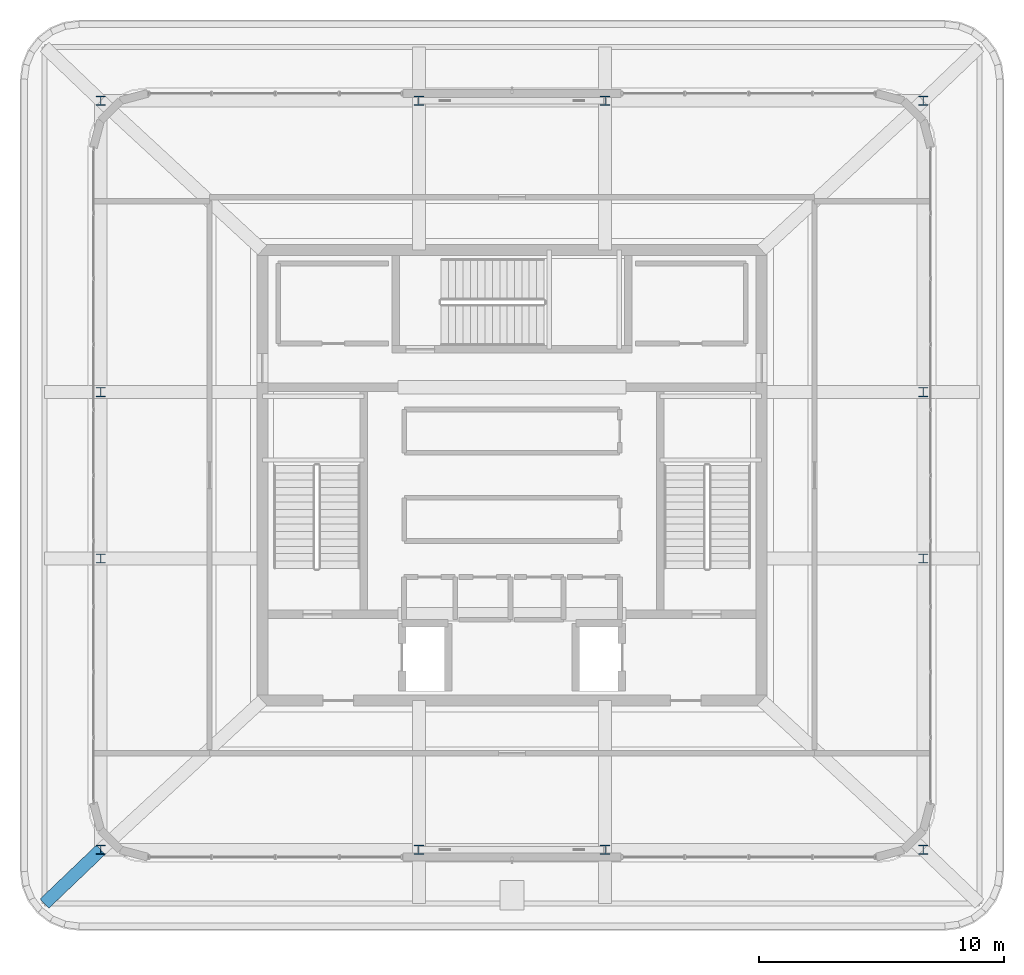
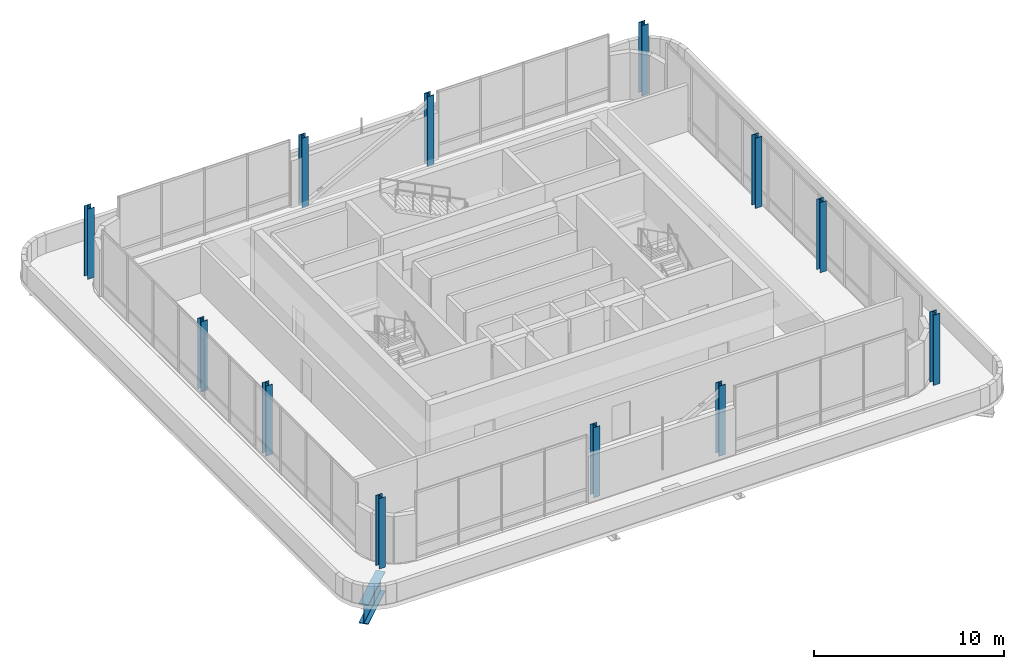
# One storey, part 1 of 28: 12 columns, 1 beam.
"""IFC4 building model written with IfcOpenShell, lengths in metres."""

from ifc_helpers import new_model, si_unit, direction, frame, origin, origin_2d, place, context, subcontext, project, spatial, i_section, extrude, material, material_profile, profile_set, type_object, element, save


model = new_model("IFC4")

# Units and contexts
model_context = context("Model", 3, precision=1e-05, world=origin(), true_north=direction((0.0, 1.0)))
body_context = subcontext(model_context, "Body", "Model", "MODEL_VIEW")
ifc_project = project(units=[si_unit("LENGTHUNIT", "METRE"), si_unit("AREAUNIT", "SQUARE_METRE"), si_unit("VOLUMEUNIT", "CUBIC_METRE"), si_unit("PLANEANGLEUNIT", "RADIAN"), si_unit("MASSUNIT", "GRAM", prefix="KILO")], contexts=[model_context])

# Site, building, storey
site_placement = place(None, origin())
site = spatial("IfcSite", under=ifc_project, at=site_placement, CompositionType="ELEMENT")
building_placement = place(site_placement, origin())
building = spatial("IfcBuilding", under=site, at=building_placement, Name="Punatoya Terracotta Tower", CompositionType="ELEMENT")
storey_placement = place(building_placement, frame((0.0, 0.0, 352.800048828125)))
storey = spatial("IfcBuildingStorey", under=building, at=storey_placement, Name="L83", CompositionType="ELEMENT", Elevation=352.800048828125)

# Columns
ifc_material_1 = material(Name="Steel S355", Category="steel")
ifc_material_profile_1 = material_profile(ifc_material_1, i_section(OverallWidth=0.39794921875, OverallDepth=0.386962890625, WebThickness=0.02099609375, FlangeThickness=0.032958984375, FilletRadius=0.01806640625, at=origin_2d()))
ifc_profile_set_1 = profile_set([ifc_material_profile_1], Name="Steel S355")
column_type = type_object("IfcColumnType", Name="COL-CR-1", PredefinedType="COLUMN", material=ifc_profile_set_1)
for number, where, z_axis, x_axis, name in (
    (1, (-3.800048828125, -15.300048828125, 0.0), (0.0, 0.0, 1.0), (1.0, 0.0, 0.0), "L83 Baradari Crown Column CS1"),
    (2, (3.800048828125, -15.300048828125, 0.0), (0.0, 0.0, 1.0), (1.0, 0.0, 0.0), "L83 Baradari Crown Column CS2"),
    (3, (-3.800048828125, 15.300048828125, 0.0), (0.0, 0.0, 1.0), (1.0, 0.0, 0.0), "L83 Baradari Crown Column CN1"),
    (4, (3.800048828125, 15.300048828125, 0.0), (0.0, 0.0, 1.0), (1.0, 0.0, 0.0), "L83 Baradari Crown Column CN2"),
    (5, (-16.800048828125, -3.39990234375, 0.0), (0.0, 0.0, 1.0), (1.0, 0.0, 0.0), "L83 Baradari Crown Column CW1"),
    (6, (-16.800048828125, 3.39990234375, 0.0), (0.0, 0.0, 1.0), (1.0, 0.0, 0.0), "L83 Baradari Crown Column CW2"),
    (7, (16.800048828125, -3.39990234375, 0.0), (0.0, 0.0, 1.0), (1.0, 0.0, 0.0), "L83 Baradari Crown Column CE1"),
    (8, (16.800048828125, 3.39990234375, 0.0), (0.0, 0.0, 1.0), (1.0, 0.0, 0.0), "L83 Baradari Crown Column CE2"),
    (9, (-16.800048828125, -15.300048828125, 0.0), (0.0, 0.0, 1.0), (1.0, 0.0, 0.0), "L83 Baradari Crown Column CRN1"),
    (10, (16.800048828125, -15.300048828125, 0.0), (0.0, 0.0, 1.0), (1.0, 0.0, 0.0), "L83 Baradari Crown Column CRN2"),
    (11, (16.800048828125, 15.300048828125, 0.0), (0.0, 0.0, 1.0), (1.0, 0.0, 0.0), "L83 Baradari Crown Column CRN3"),
    (12, (-16.800048828125, 15.300048828125, 0.0), (0.0, 0.0, 1.0), (1.0, 0.0, 0.0), "L83 Baradari Crown Column CRN4"),
):
    element("IfcColumn", number, at=place(storey_placement, frame(where, z_axis=z_axis, x_axis=x_axis)), inside=storey, type_object=column_type, Name=name, PredefinedType="COLUMN", context=body_context, shape_type="SweptSolid", body=[
        extrude(i_section(OverallWidth=0.39794921875, OverallDepth=0.386962890625, WebThickness=0.02099609375, FlangeThickness=0.032958984375, FilletRadius=0.01806640625, at=origin_2d()), origin(), (0.0, 0.0, 1.0), 4.498046875),
    ])

# Beam
ifc_material_2 = material(Name="Steel S460", Category="steel")
ifc_material_profile_2 = material_profile(ifc_material_2, i_section(OverallWidth=0.52001953125, OverallDepth=1.280029296875, WebThickness=0.031982421875, FlangeThickness=0.050048828125, FilletRadius=0.01806640625, at=origin_2d()))
ifc_profile_set_2 = profile_set([ifc_material_profile_2], Name="Steel S460")
beam_type = type_object("IfcBeamType", Name="BM-TG-NCK", PredefinedType="BEAM", material=ifc_profile_set_2)
beam_placement = place(storey_placement, frame((-19.10009765625, -17.5, -0.920166015625), z_axis=(0.722656850058, 0.691206971221, 0.0), x_axis=(-0.691206971221, 0.722656850058, 0.0)))
element("IfcBeam", 13, at=beam_placement, inside=storey, type_object=beam_type, Name="BM-L83-CD1A", PredefinedType="BEAM", context=body_context, shape_type="SweptSolid", body=[
    extrude(i_section(OverallWidth=0.52001953125, OverallDepth=1.280029296875, WebThickness=0.031982421875, FlangeThickness=0.050048828125, FilletRadius=0.01806640625, at=origin_2d()), origin(), (0.0, 0.0, 1.0), 3.182861328125),
])

save(model, "model.ifc")
